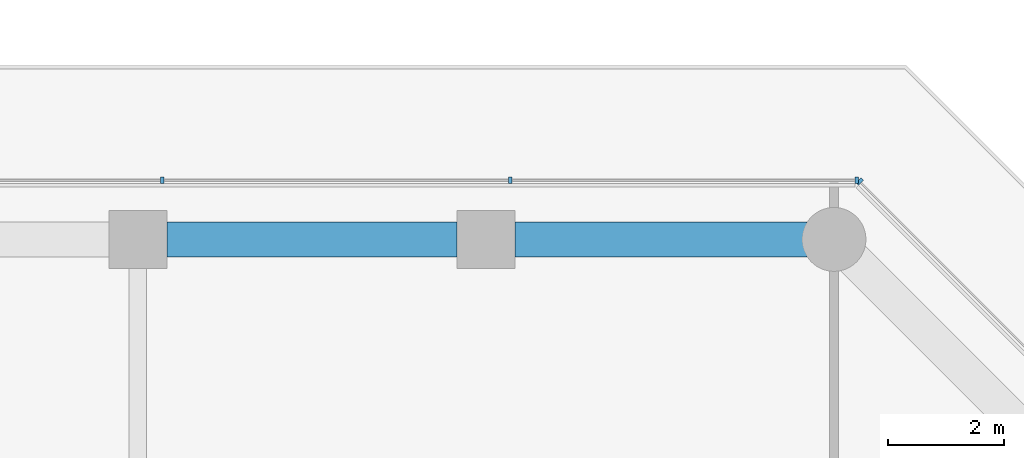
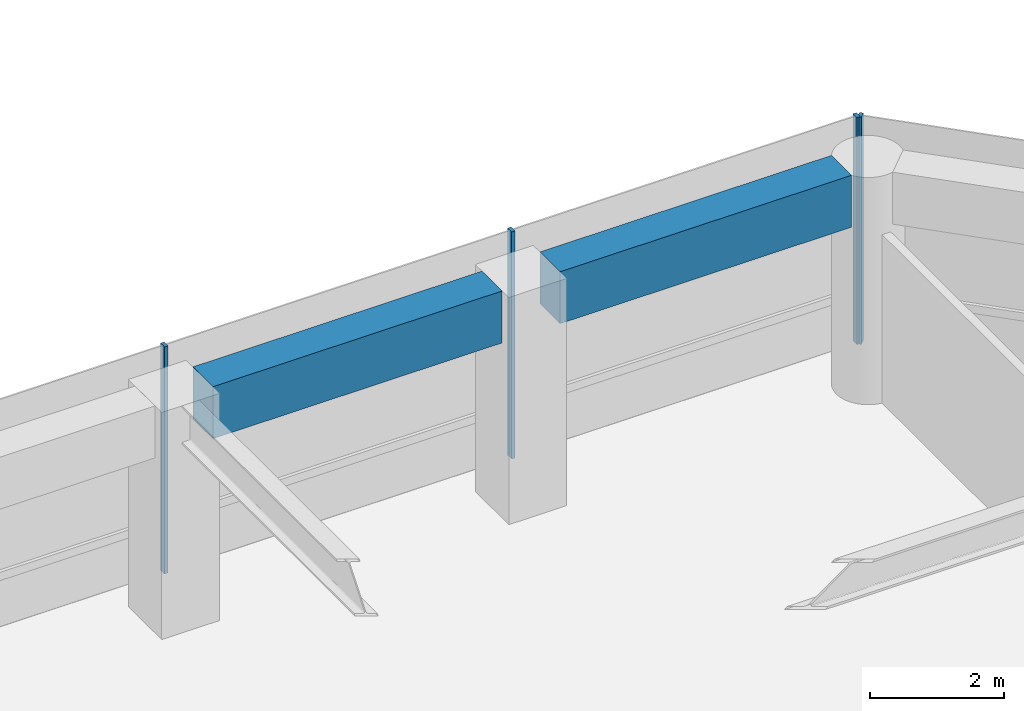
# One storey, part 10 of 24: 4 members, 2 beams, 2 elements without a shape of their own.
"""IFC4 building model written with IfcOpenShell, lengths in metres."""

from ifc_helpers import new_model, si_unit, direction, frame, origin, origin_2d, place, context, subcontext, project, spatial, rectangle, extrude, material, layer, layer_set, material_profile, profile_set, type_object, element, aggregate, save


model = new_model("IFC4")

# Units and contexts
model_context = context("Model", 3, precision=1e-05, world=origin(), true_north=direction((0.0, 1.0)))
body_context = subcontext(model_context, "Body", "Model", "MODEL_VIEW")
ifc_project = project(units=[si_unit("LENGTHUNIT", "METRE"), si_unit("AREAUNIT", "SQUARE_METRE"), si_unit("VOLUMEUNIT", "CUBIC_METRE"), si_unit("PLANEANGLEUNIT", "RADIAN"), si_unit("MASSUNIT", "GRAM", prefix="KILO")], contexts=[model_context])

# Site, building, storey
site_placement = place(None, origin())
site = spatial("IfcSite", under=ifc_project, at=site_placement, CompositionType="ELEMENT")
building_placement = place(site_placement, origin())
building = spatial("IfcBuilding", under=site, at=building_placement, Name="Welwitschia Terrace Campus", CompositionType="ELEMENT")
storey_placement = place(building_placement, frame((0.0, 0.0, 24.5)))
storey = spatial("IfcBuildingStorey", under=building, at=storey_placement, Name="L05", CompositionType="ELEMENT", Elevation=24.5)

# Curtain wall, member
ifc_material_1 = material(Name="Bronze anodised aluminium", Category="aluminium")
ifc_layer = layer(ifc_material_1, 0.1201171875)
ifc_layer_set = layer_set([ifc_layer], Name="Bronze anodised aluminium")
curtain_wall_type = type_object("IfcCurtainWallType", Name="Curtain wall CW2 tower 6000", PredefinedType="NOTDEFINED", material=ifc_layer_set)
curtain_wall_1_placement = place(storey_placement, origin())
curtain_wall_1 = element("IfcCurtainWall", 1, at=curtain_wall_1_placement, inside=storey, type_object=curtain_wall_type, Name="CW L05.4.0", PredefinedType="NOTDEFINED")
ifc_material_2 = material(Name="Bronze anodised aluminium", Category="aluminium")
ifc_material_profile_1 = material_profile(ifc_material_2, rectangle(XDim=0.1201171875, YDim=0.06005859375, at=origin_2d()))
ifc_profile_set_1 = profile_set([ifc_material_profile_1], Name="Bronze anodised aluminium")
member_type = type_object("IfcMemberType", Name="Mullion 60x120", PredefinedType="MULLION", material=ifc_profile_set_1)
member_1_placement = place(storey_placement, frame((60.443603515625, 20.998779296875, 0.0), z_axis=(0.0, 0.0, 1.0), x_axis=(-0.707106781187, -0.707106781187, 0.0)))
member_1 = element("IfcMember", 2, at=member_1_placement, type_object=member_type, Name="Mullion L05.4.0.2", PredefinedType="MULLION", context=body_context, shape_type="SweptSolid", body=[
    extrude(rectangle(XDim=0.1201171875, YDim=0.06005859375, at=origin_2d()), origin(), (0.0, 0.0, 1.0), 4.14990234375),
])
aggregate(curtain_wall_1, [member_1])

# Curtain wall, members
curtain_wall_2_placement = place(storey_placement, origin())
curtain_wall_2 = element("IfcCurtainWall", 3, at=curtain_wall_2_placement, inside=storey, type_object=curtain_wall_type, Name="CW L05.5.0", PredefinedType="NOTDEFINED")
member_2_placement = place(storey_placement, frame((60.392578125, 21.02001953125, 0.0), z_axis=(0.0, 0.0, 1.0), x_axis=(0.0, -1.0, 0.0)))
member_2 = element("IfcMember", 4, at=member_2_placement, type_object=member_type, Name="Mullion L05.5.0.0", PredefinedType="MULLION", context=body_context, shape_type="SweptSolid", body=[
    extrude(rectangle(XDim=0.1201171875, YDim=0.06005859375, at=origin_2d()), origin(), (0.0, 0.0, 1.0), 4.14990234375),
])
member_3_placement = place(storey_placement, frame((54.422607421875, 21.02001953125, 0.0), z_axis=(0.0, 0.0, 1.0), x_axis=(0.0, -1.0, 0.0)))
member_3 = element("IfcMember", 5, at=member_3_placement, type_object=member_type, Name="Mullion L05.5.0.1", PredefinedType="MULLION", context=body_context, shape_type="SweptSolid", body=[
    extrude(rectangle(XDim=0.1201171875, YDim=0.06005859375, at=origin_2d()), origin(), (0.0, 0.0, 1.0), 4.14990234375),
])
member_4_placement = place(storey_placement, frame((48.422607421875, 21.02001953125, 0.0), z_axis=(0.0, 0.0, 1.0), x_axis=(0.0, -1.0, 0.0)))
member_4 = element("IfcMember", 6, at=member_4_placement, type_object=member_type, Name="Mullion L05.5.0.2", PredefinedType="MULLION", context=body_context, shape_type="SweptSolid", body=[
    extrude(rectangle(XDim=0.1201171875, YDim=0.06005859375, at=origin_2d()), origin(), (0.0, 0.0, 1.0), 4.14990234375),
])
aggregate(curtain_wall_2, [member_2, member_3, member_4])

# Beams
ifc_material_3 = material(Name="Concrete C60/75", Category="concrete")
ifc_material_profile_2 = material_profile(ifc_material_3, rectangle(XDim=0.60009765625, YDim=0.949951171875, at=origin_2d()))
ifc_profile_set_2 = profile_set([ifc_material_profile_2], Name="Concrete C60/75")
beam_type = type_object("IfcBeamType", Name="Ring spandrel 600x950", PredefinedType="SPANDREL", material=ifc_profile_set_2)
beam_1_placement = place(storey_placement, frame((59.53857421875, 20.0, 3.675048828125), z_axis=(-1.0, 0.0, 0.0), x_axis=(0.0, -1.0, 0.0)))
element("IfcBeam", 7, at=beam_1_placement, inside=storey, type_object=beam_type, Name="Spandrel SP1", PredefinedType="SPANDREL", context=body_context, shape_type="SweptSolid", body=[
    extrude(rectangle(XDim=0.60009765625, YDim=0.949951171875, at=origin_2d()), origin(), (0.0, 0.0, 1.0), 5.0380859375),
])
beam_2_placement = place(storey_placement, frame((53.49951171875, 20.0, 3.675048828125), z_axis=(-1.0, 0.0, 0.0), x_axis=(0.0, -1.0, 0.0)))
element("IfcBeam", 8, at=beam_2_placement, inside=storey, type_object=beam_type, Name="Spandrel SP1", PredefinedType="SPANDREL", context=body_context, shape_type="SweptSolid", body=[
    extrude(rectangle(XDim=0.60009765625, YDim=0.949951171875, at=origin_2d()), origin(), (0.0, 0.0, 1.0), 4.9990234375),
])

save(model, "model.ifc")
